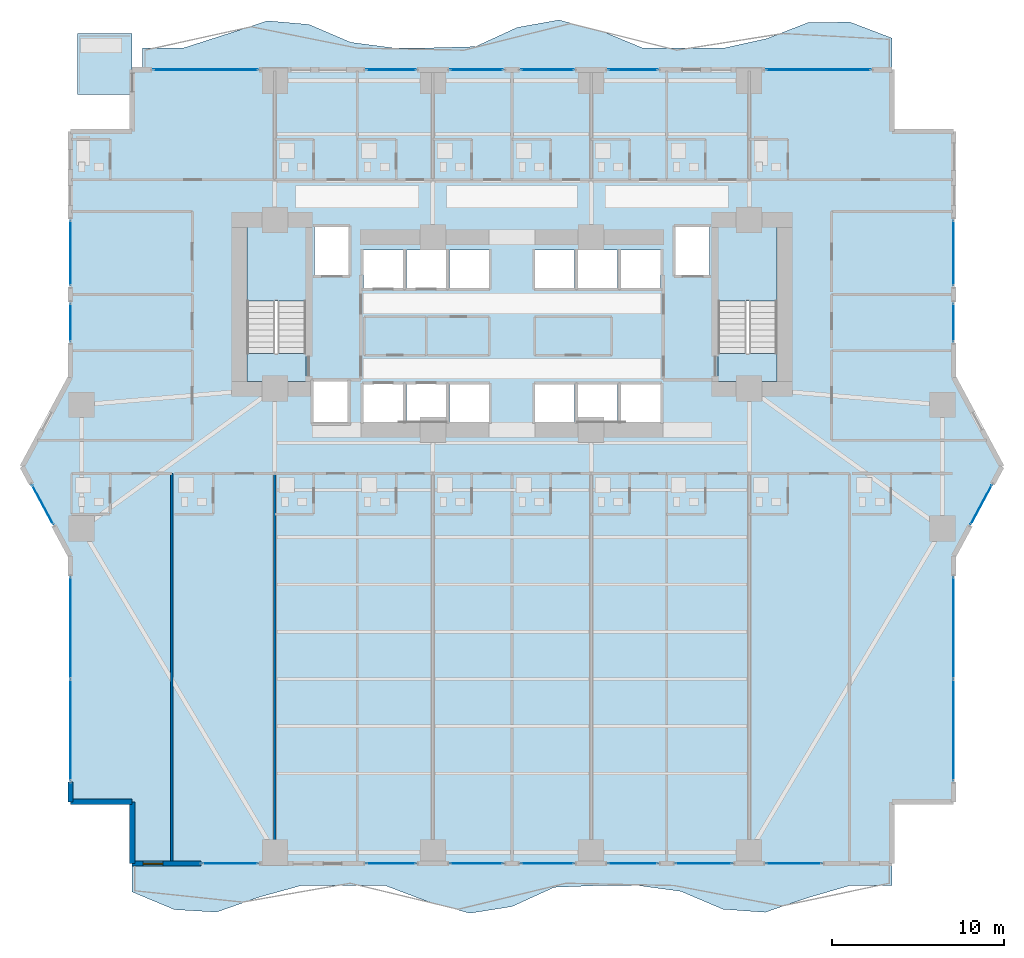
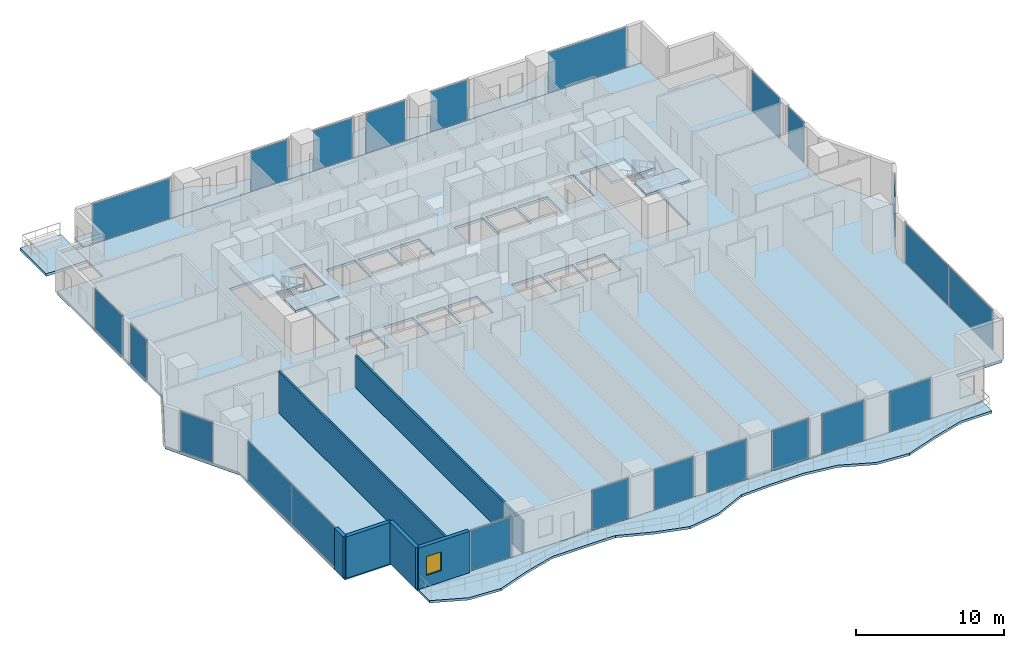
# One storey, part 18 of 29: 23 plates, 8 slabs, 6 walls, 1 window, 1 opening, 23 elements without a shape of their own.
"""IFC4 building model written with IfcOpenShell, lengths in metres."""

from ifc_helpers import new_model, si_unit, direction, frame, frame_2d, origin, origin_2d, place, context, subcontext, project, spatial, polyline, rectangle, outline, extrude, material, layer, layer_set, type_object, element, fill, aggregate, save


model = new_model("IFC4")

# Units and contexts
model_context = context("Model", 3, precision=1e-05, world=origin(), true_north=direction((0.0, 1.0)))
body_context = subcontext(model_context, "Body", "Model", "MODEL_VIEW")
ifc_project = project(units=[si_unit("LENGTHUNIT", "METRE"), si_unit("AREAUNIT", "SQUARE_METRE"), si_unit("VOLUMEUNIT", "CUBIC_METRE"), si_unit("PLANEANGLEUNIT", "RADIAN"), si_unit("MASSUNIT", "GRAM", prefix="KILO")], contexts=[model_context])

# Site, building, storey
site_placement = place(None, origin())
site = spatial("IfcSite", under=ifc_project, at=site_placement, CompositionType="ELEMENT")
building_placement = place(site_placement, origin())
building = spatial("IfcBuilding", under=site, at=building_placement, Name="Zuhayl Quay Hotel", CompositionType="ELEMENT")
storey_placement = place(building_placement, frame((0.0, 0.0, 64.10009765625)))
storey = spatial("IfcBuildingStorey", under=building, at=storey_placement, Name="L15", CompositionType="ELEMENT", Elevation=64.10009765625)

# Curtain wall, plates
ifc_material_1 = material(Name="Anodised Aluminium 6063-T6", Category="aluminium")
ifc_layer_1 = layer(ifc_material_1, 0.18994140625, Name="Anodised Aluminium 6063-T6", Category="aluminium")
ifc_layer_set_1 = layer_set([ifc_layer_1], Name="Anodised Aluminium 6063-T6")
curtain_wall_type = type_object("IfcCurtainWallType", Name="CW_SYS_Z1", PredefinedType="USERDEFINED", material=ifc_layer_set_1)
curtain_wall_1_placement = place(storey_placement, origin())
curtain_wall_1 = element("IfcCurtainWall", 1, at=curtain_wall_1_placement, inside=storey, type_object=curtain_wall_type, Name="L15 Curtain Wall ENV_L15_E02_CW1", ObjectType="UNITISED CURTAIN WALL", PredefinedType="USERDEFINED")
ifc_material_2 = material(Name="Dark Ceramic-Fritted Solar Glass", Category="glass")
ifc_layer_2 = layer(ifc_material_2, 0.035888671875, Name="Dark Ceramic-Fritted Solar Glass", Category="glass")
ifc_layer_set_2 = layer_set([ifc_layer_2], Name="Dark Ceramic-Fritted Solar Glass")
plate_type = type_object("IfcPlateType", Name="PN_DARK_FRIT_Z1", PredefinedType="CURTAIN_PANEL", material=ifc_layer_set_2)
plate_1_placement = place(storey_placement, frame((-25.699951171875, -15.331298828125, 0.059814453125), z_axis=(0.0, 0.0, 1.0), x_axis=(0.0, 1.0, 0.0)))
plate_1 = element("IfcPlate", 2, at=plate_1_placement, type_object=plate_type, Name="CW-Z1 panel 1.1", PredefinedType="CURTAIN_PANEL", context=body_context, shape_type="SweptSolid", body=[
    extrude(rectangle(XDim=5.887451171875, YDim=0.035888671875, at=origin_2d()), origin(), (0.0, 0.0, 1.0), 3.31005859375),
])
plate_2_placement = place(storey_placement, frame((-25.699951171875, -9.36865234375, 0.059814453125), z_axis=(0.0, 0.0, 1.0), x_axis=(0.0, 1.0, 0.0)))
plate_2 = element("IfcPlate", 3, at=plate_2_placement, type_object=plate_type, Name="CW-Z1 panel 2.1", PredefinedType="CURTAIN_PANEL", context=body_context, shape_type="SweptSolid", body=[
    extrude(rectangle(XDim=5.887451171875, YDim=0.035888671875, at=origin_2d()), origin(), (0.0, 0.0, 1.0), 3.31005859375),
])
aggregate(curtain_wall_1, [plate_1, plate_2])

# Curtain wall, plate
curtain_wall_2_placement = place(storey_placement, origin())
curtain_wall_2 = element("IfcCurtainWall", 4, at=curtain_wall_2_placement, inside=storey, type_object=curtain_wall_type, Name="L15 Curtain Wall ENV_L15_E03_CW1", ObjectType="UNITISED CURTAIN WALL", PredefinedType="USERDEFINED")
plate_3_placement = place(storey_placement, frame((-27.306396484375, -2.216796875, 0.059814453125), z_axis=(0.0, 0.0, 1.0), x_axis=(-0.474091102632, 0.880475795468, 0.0)))
plate_3 = element("IfcPlate", 5, at=plate_3_placement, type_object=plate_type, Name="CW-Z1 panel 1.1", PredefinedType="CURTAIN_PANEL", context=body_context, shape_type="SweptSolid", body=[
    extrude(rectangle(XDim=2.58544921875, YDim=0.035888671875, at=origin_2d()), origin(), (0.0, 0.0, 1.0), 3.31005859375),
])
aggregate(curtain_wall_2, [plate_3])

curtain_wall_3_placement = place(storey_placement, origin())
curtain_wall_3 = element("IfcCurtainWall", 6, at=curtain_wall_3_placement, inside=storey, type_object=curtain_wall_type, Name="L15 Curtain Wall ENV_L15_E05_CW1", ObjectType="UNITISED CURTAIN WALL", PredefinedType="USERDEFINED")
plate_4_placement = place(storey_placement, frame((-25.699951171875, 8.385009765625, 0.059814453125), z_axis=(0.0, 0.0, 1.0), x_axis=(0.0, 1.0, 0.0)))
plate_4 = element("IfcPlate", 7, at=plate_4_placement, type_object=plate_type, Name="CW-Z1 panel 1.1", PredefinedType="CURTAIN_PANEL", context=body_context, shape_type="SweptSolid", body=[
    extrude(rectangle(XDim=2.219970703125, YDim=0.035888671875, at=origin_2d()), origin(), (0.0, 0.0, 1.0), 3.31005859375),
])
aggregate(curtain_wall_3, [plate_4])

curtain_wall_4_placement = place(storey_placement, origin())
curtain_wall_4 = element("IfcCurtainWall", 8, at=curtain_wall_4_placement, inside=storey, type_object=curtain_wall_type, Name="L15 Curtain Wall ENV_L15_E05_CW2", ObjectType="UNITISED CURTAIN WALL", PredefinedType="USERDEFINED")
plate_5_placement = place(storey_placement, frame((-25.699951171875, 12.43505859375, 0.059814453125), z_axis=(0.0, 0.0, 1.0), x_axis=(0.0, 1.0, 0.0)))
plate_5 = element("IfcPlate", 9, at=plate_5_placement, type_object=plate_type, Name="CW-Z1 panel 1.1", PredefinedType="CURTAIN_PANEL", context=body_context, shape_type="SweptSolid", body=[
    extrude(rectangle(XDim=3.780029296875, YDim=0.035888671875, at=origin_2d()), origin(), (0.0, 0.0, 1.0), 3.31005859375),
])
aggregate(curtain_wall_4, [plate_5])

curtain_wall_5_placement = place(storey_placement, origin())
curtain_wall_5 = element("IfcCurtainWall", 10, at=curtain_wall_5_placement, inside=storey, type_object=curtain_wall_type, Name="L15 Curtain Wall ENV_L15_N_CW1", ObjectType="UNITISED CURTAIN WALL", PredefinedType="USERDEFINED")
plate_6_placement = place(storey_placement, frame((-17.8349609375, 23.10009765625, 0.059814453125), z_axis=(0.0, 0.0, 1.0), x_axis=(1.0, 0.0, 0.0)))
plate_6 = element("IfcPlate", 11, at=plate_6_placement, type_object=plate_type, Name="CW-Z1 panel 1.1", PredefinedType="CURTAIN_PANEL", context=body_context, shape_type="SweptSolid", body=[
    extrude(rectangle(XDim=6.080078125, YDim=0.035888671875, at=origin_2d()), origin(), (0.0, 0.0, 1.0), 3.31005859375),
])
aggregate(curtain_wall_5, [plate_6])

curtain_wall_6_placement = place(storey_placement, origin())
curtain_wall_6 = element("IfcCurtainWall", 12, at=curtain_wall_6_placement, inside=storey, type_object=curtain_wall_type, Name="L15 Curtain Wall ENV_L15_N_CW2", ObjectType="UNITISED CURTAIN WALL", PredefinedType="USERDEFINED")
plate_7_placement = place(storey_placement, frame((-7.034912109375, 23.10009765625, 0.059814453125), z_axis=(0.0, 0.0, 1.0), x_axis=(1.0, 0.0, 0.0)))
plate_7 = element("IfcPlate", 13, at=plate_7_placement, type_object=plate_type, Name="CW-Z1 panel 1.1", PredefinedType="CURTAIN_PANEL", context=body_context, shape_type="SweptSolid", body=[
    extrude(rectangle(XDim=2.8798828125, YDim=0.035888671875, at=origin_2d()), origin(), (0.0, 0.0, 1.0), 3.31005859375),
])
aggregate(curtain_wall_6, [plate_7])

curtain_wall_7_placement = place(storey_placement, origin())
curtain_wall_7 = element("IfcCurtainWall", 14, at=curtain_wall_7_placement, inside=storey, type_object=curtain_wall_type, Name="L15 Curtain Wall ENV_L15_N_CW3", ObjectType="UNITISED CURTAIN WALL", PredefinedType="USERDEFINED")
plate_8_placement = place(storey_placement, frame((-2.06494140625, 23.10009765625, 0.059814453125), z_axis=(0.0, 0.0, 1.0), x_axis=(1.0, 0.0, 0.0)))
plate_8 = element("IfcPlate", 15, at=plate_8_placement, type_object=plate_type, Name="CW-Z1 panel 1.1", PredefinedType="CURTAIN_PANEL", context=body_context, shape_type="SweptSolid", body=[
    extrude(rectangle(XDim=3.080078125, YDim=0.035888671875, at=origin_2d()), origin(), (0.0, 0.0, 1.0), 3.31005859375),
])
aggregate(curtain_wall_7, [plate_8])

curtain_wall_8_placement = place(storey_placement, origin())
curtain_wall_8 = element("IfcCurtainWall", 16, at=curtain_wall_8_placement, inside=storey, type_object=curtain_wall_type, Name="L15 Curtain Wall ENV_L15_N_CW4", ObjectType="UNITISED CURTAIN WALL", PredefinedType="USERDEFINED")
plate_9_placement = place(storey_placement, frame((2.06494140625, 23.10009765625, 0.059814453125), z_axis=(0.0, 0.0, 1.0), x_axis=(1.0, 0.0, 0.0)))
plate_9 = element("IfcPlate", 17, at=plate_9_placement, type_object=plate_type, Name="CW-Z1 panel 1.1", PredefinedType="CURTAIN_PANEL", context=body_context, shape_type="SweptSolid", body=[
    extrude(rectangle(XDim=3.080078125, YDim=0.035888671875, at=origin_2d()), origin(), (0.0, 0.0, 1.0), 3.31005859375),
])
aggregate(curtain_wall_8, [plate_9])

curtain_wall_9_placement = place(storey_placement, origin())
curtain_wall_9 = element("IfcCurtainWall", 18, at=curtain_wall_9_placement, inside=storey, type_object=curtain_wall_type, Name="L15 Curtain Wall ENV_L15_N_CW5", ObjectType="UNITISED CURTAIN WALL", PredefinedType="USERDEFINED")
plate_10_placement = place(storey_placement, frame((7.034912109375, 23.10009765625, 0.059814453125), z_axis=(0.0, 0.0, 1.0), x_axis=(1.0, 0.0, 0.0)))
plate_10 = element("IfcPlate", 19, at=plate_10_placement, type_object=plate_type, Name="CW-Z1 panel 1.1", PredefinedType="CURTAIN_PANEL", context=body_context, shape_type="SweptSolid", body=[
    extrude(rectangle(XDim=2.8798828125, YDim=0.035888671875, at=origin_2d()), origin(), (0.0, 0.0, 1.0), 3.31005859375),
])
aggregate(curtain_wall_9, [plate_10])

curtain_wall_10_placement = place(storey_placement, origin())
curtain_wall_10 = element("IfcCurtainWall", 20, at=curtain_wall_10_placement, inside=storey, type_object=curtain_wall_type, Name="L15 Curtain Wall ENV_L15_N_CW6", ObjectType="UNITISED CURTAIN WALL", PredefinedType="USERDEFINED")
plate_11_placement = place(storey_placement, frame((17.8349609375, 23.10009765625, 0.059814453125), z_axis=(0.0, 0.0, 1.0), x_axis=(1.0, 0.0, 0.0)))
plate_11 = element("IfcPlate", 21, at=plate_11_placement, type_object=plate_type, Name="CW-Z1 panel 1.1", PredefinedType="CURTAIN_PANEL", context=body_context, shape_type="SweptSolid", body=[
    extrude(rectangle(XDim=6.080078125, YDim=0.035888671875, at=origin_2d()), origin(), (0.0, 0.0, 1.0), 3.31005859375),
])
aggregate(curtain_wall_10, [plate_11])

curtain_wall_11_placement = place(storey_placement, origin())
curtain_wall_11 = element("IfcCurtainWall", 22, at=curtain_wall_11_placement, inside=storey, type_object=curtain_wall_type, Name="L15 Curtain Wall ENV_L15_E11_CW1", ObjectType="UNITISED CURTAIN WALL", PredefinedType="USERDEFINED")
plate_12_placement = place(storey_placement, frame((25.699951171875, 12.43505859375, 0.059814453125), z_axis=(0.0, 0.0, 1.0), x_axis=(0.0, -1.0, 0.0)))
plate_12 = element("IfcPlate", 23, at=plate_12_placement, type_object=plate_type, Name="CW-Z1 panel 1.1", PredefinedType="CURTAIN_PANEL", context=body_context, shape_type="SweptSolid", body=[
    extrude(rectangle(XDim=3.780029296875, YDim=0.035888671875, at=origin_2d()), origin(), (0.0, 0.0, 1.0), 3.31005859375),
])
aggregate(curtain_wall_11, [plate_12])

curtain_wall_12_placement = place(storey_placement, origin())
curtain_wall_12 = element("IfcCurtainWall", 24, at=curtain_wall_12_placement, inside=storey, type_object=curtain_wall_type, Name="L15 Curtain Wall ENV_L15_E11_CW2", ObjectType="UNITISED CURTAIN WALL", PredefinedType="USERDEFINED")
plate_13_placement = place(storey_placement, frame((25.699951171875, 8.385009765625, 0.059814453125), z_axis=(0.0, 0.0, 1.0), x_axis=(0.0, -1.0, 0.0)))
plate_13 = element("IfcPlate", 25, at=plate_13_placement, type_object=plate_type, Name="CW-Z1 panel 1.1", PredefinedType="CURTAIN_PANEL", context=body_context, shape_type="SweptSolid", body=[
    extrude(rectangle(XDim=2.219970703125, YDim=0.035888671875, at=origin_2d()), origin(), (0.0, 0.0, 1.0), 3.31005859375),
])
aggregate(curtain_wall_12, [plate_13])

curtain_wall_13_placement = place(storey_placement, origin())
curtain_wall_13 = element("IfcCurtainWall", 26, at=curtain_wall_13_placement, inside=storey, type_object=curtain_wall_type, Name="L15 Curtain Wall ENV_L15_E13_CW1", ObjectType="UNITISED CURTAIN WALL", PredefinedType="USERDEFINED")
plate_14_placement = place(storey_placement, frame((27.306396484375, -2.216796875, 0.059814453125), z_axis=(0.0, 0.0, 1.0), x_axis=(-0.474091102632, -0.880475795468, 0.0)))
plate_14 = element("IfcPlate", 27, at=plate_14_placement, type_object=plate_type, Name="CW-Z1 panel 1.1", PredefinedType="CURTAIN_PANEL", context=body_context, shape_type="SweptSolid", body=[
    extrude(rectangle(XDim=2.58544921875, YDim=0.035888671875, at=origin_2d()), origin(), (0.0, 0.0, 1.0), 3.31005859375),
])
aggregate(curtain_wall_13, [plate_14])

# Curtain wall, plates
curtain_wall_14_placement = place(storey_placement, origin())
curtain_wall_14 = element("IfcCurtainWall", 28, at=curtain_wall_14_placement, inside=storey, type_object=curtain_wall_type, Name="L15 Curtain Wall ENV_L15_E14_CW1", ObjectType="UNITISED CURTAIN WALL", PredefinedType="USERDEFINED")
plate_15_placement = place(storey_placement, frame((25.699951171875, -9.36865234375, 0.059814453125), z_axis=(0.0, 0.0, 1.0), x_axis=(0.0, -1.0, 0.0)))
plate_15 = element("IfcPlate", 29, at=plate_15_placement, type_object=plate_type, Name="CW-Z1 panel 1.1", PredefinedType="CURTAIN_PANEL", context=body_context, shape_type="SweptSolid", body=[
    extrude(rectangle(XDim=5.887451171875, YDim=0.035888671875, at=origin_2d()), origin(), (0.0, 0.0, 1.0), 3.31005859375),
])
plate_16_placement = place(storey_placement, frame((25.699951171875, -15.331298828125, 0.059814453125), z_axis=(0.0, 0.0, 1.0), x_axis=(0.0, -1.0, 0.0)))
plate_16 = element("IfcPlate", 30, at=plate_16_placement, type_object=plate_type, Name="CW-Z1 panel 2.1", PredefinedType="CURTAIN_PANEL", context=body_context, shape_type="SweptSolid", body=[
    extrude(rectangle(XDim=5.887451171875, YDim=0.035888671875, at=origin_2d()), origin(), (0.0, 0.0, 1.0), 3.31005859375),
])
aggregate(curtain_wall_14, [plate_15, plate_16])

# Curtain wall, plate
curtain_wall_15_placement = place(storey_placement, origin())
curtain_wall_15 = element("IfcCurtainWall", 31, at=curtain_wall_15_placement, inside=storey, type_object=curtain_wall_type, Name="L15 Curtain Wall ENV_L15_S_CW1", ObjectType="UNITISED CURTAIN WALL", PredefinedType="USERDEFINED")
plate_17_placement = place(storey_placement, frame((16.409912109375, -23.10009765625, 0.059814453125), z_axis=(0.0, 0.0, 1.0), x_axis=(-1.0, 0.0, 0.0)))
plate_17 = element("IfcPlate", 32, at=plate_17_placement, type_object=plate_type, Name="CW-Z1 panel 1.1", PredefinedType="CURTAIN_PANEL", context=body_context, shape_type="SweptSolid", body=[
    extrude(rectangle(XDim=3.22998046875, YDim=0.035888671875, at=origin_2d()), origin(), (0.0, 0.0, 1.0), 3.31005859375),
])
aggregate(curtain_wall_15, [plate_17])

curtain_wall_16_placement = place(storey_placement, origin())
curtain_wall_16 = element("IfcCurtainWall", 33, at=curtain_wall_16_placement, inside=storey, type_object=curtain_wall_type, Name="L15 Curtain Wall ENV_L15_S_CW2", ObjectType="UNITISED CURTAIN WALL", PredefinedType="USERDEFINED")
plate_18_placement = place(storey_placement, frame((11.1650390625, -23.10009765625, 0.059814453125), z_axis=(0.0, 0.0, 1.0), x_axis=(-1.0, 0.0, 0.0)))
plate_18 = element("IfcPlate", 34, at=plate_18_placement, type_object=plate_type, Name="CW-Z1 panel 1.1", PredefinedType="CURTAIN_PANEL", context=body_context, shape_type="SweptSolid", body=[
    extrude(rectangle(XDim=3.280029296875, YDim=0.035888671875, at=origin_2d()), origin(), (0.0, 0.0, 1.0), 3.31005859375),
])
aggregate(curtain_wall_16, [plate_18])

curtain_wall_17_placement = place(storey_placement, origin())
curtain_wall_17 = element("IfcCurtainWall", 35, at=curtain_wall_17_placement, inside=storey, type_object=curtain_wall_type, Name="L15 Curtain Wall ENV_L15_S_CW3", ObjectType="UNITISED CURTAIN WALL", PredefinedType="USERDEFINED")
plate_19_placement = place(storey_placement, frame((7.034912109375, -23.10009765625, 0.059814453125), z_axis=(0.0, 0.0, 1.0), x_axis=(-1.0, 0.0, 0.0)))
plate_19 = element("IfcPlate", 36, at=plate_19_placement, type_object=plate_type, Name="CW-Z1 panel 1.1", PredefinedType="CURTAIN_PANEL", context=body_context, shape_type="SweptSolid", body=[
    extrude(rectangle(XDim=2.8798828125, YDim=0.035888671875, at=origin_2d()), origin(), (0.0, 0.0, 1.0), 3.31005859375),
])
aggregate(curtain_wall_17, [plate_19])

curtain_wall_18_placement = place(storey_placement, origin())
curtain_wall_18 = element("IfcCurtainWall", 37, at=curtain_wall_18_placement, inside=storey, type_object=curtain_wall_type, Name="L15 Curtain Wall ENV_L15_S_CW4", ObjectType="UNITISED CURTAIN WALL", PredefinedType="USERDEFINED")
plate_20_placement = place(storey_placement, frame((2.06494140625, -23.10009765625, 0.059814453125), z_axis=(0.0, 0.0, 1.0), x_axis=(-1.0, 0.0, 0.0)))
plate_20 = element("IfcPlate", 38, at=plate_20_placement, type_object=plate_type, Name="CW-Z1 panel 1.1", PredefinedType="CURTAIN_PANEL", context=body_context, shape_type="SweptSolid", body=[
    extrude(rectangle(XDim=3.080078125, YDim=0.035888671875, at=origin_2d()), origin(), (0.0, 0.0, 1.0), 3.31005859375),
])
aggregate(curtain_wall_18, [plate_20])

curtain_wall_19_placement = place(storey_placement, origin())
curtain_wall_19 = element("IfcCurtainWall", 39, at=curtain_wall_19_placement, inside=storey, type_object=curtain_wall_type, Name="L15 Curtain Wall ENV_L15_S_CW5", ObjectType="UNITISED CURTAIN WALL", PredefinedType="USERDEFINED")
plate_21_placement = place(storey_placement, frame((-2.06494140625, -23.10009765625, 0.059814453125), z_axis=(0.0, 0.0, 1.0), x_axis=(-1.0, 0.0, 0.0)))
plate_21 = element("IfcPlate", 40, at=plate_21_placement, type_object=plate_type, Name="CW-Z1 panel 1.1", PredefinedType="CURTAIN_PANEL", context=body_context, shape_type="SweptSolid", body=[
    extrude(rectangle(XDim=3.080078125, YDim=0.035888671875, at=origin_2d()), origin(), (0.0, 0.0, 1.0), 3.31005859375),
])
aggregate(curtain_wall_19, [plate_21])

curtain_wall_20_placement = place(storey_placement, origin())
curtain_wall_20 = element("IfcCurtainWall", 41, at=curtain_wall_20_placement, inside=storey, type_object=curtain_wall_type, Name="L15 Curtain Wall ENV_L15_S_CW6", ObjectType="UNITISED CURTAIN WALL", PredefinedType="USERDEFINED")
plate_22_placement = place(storey_placement, frame((-7.034912109375, -23.10009765625, 0.059814453125), z_axis=(0.0, 0.0, 1.0), x_axis=(-1.0, 0.0, 0.0)))
plate_22 = element("IfcPlate", 42, at=plate_22_placement, type_object=plate_type, Name="CW-Z1 panel 1.1", PredefinedType="CURTAIN_PANEL", context=body_context, shape_type="SweptSolid", body=[
    extrude(rectangle(XDim=2.8798828125, YDim=0.035888671875, at=origin_2d()), origin(), (0.0, 0.0, 1.0), 3.31005859375),
])
aggregate(curtain_wall_20, [plate_22])

curtain_wall_21_placement = place(storey_placement, origin())
curtain_wall_21 = element("IfcCurtainWall", 43, at=curtain_wall_21_placement, inside=storey, type_object=curtain_wall_type, Name="L15 Curtain Wall ENV_L15_S_CW7", ObjectType="UNITISED CURTAIN WALL", PredefinedType="USERDEFINED")
plate_23_placement = place(storey_placement, frame((-16.409912109375, -23.10009765625, 0.059814453125), z_axis=(0.0, 0.0, 1.0), x_axis=(-1.0, 0.0, 0.0)))
plate_23 = element("IfcPlate", 44, at=plate_23_placement, type_object=plate_type, Name="CW-Z1 panel 1.1", PredefinedType="CURTAIN_PANEL", context=body_context, shape_type="SweptSolid", body=[
    extrude(rectangle(XDim=3.22998046875, YDim=0.035888671875, at=origin_2d()), origin(), (0.0, 0.0, 1.0), 3.31005859375),
])
aggregate(curtain_wall_21, [plate_23])

# Slabs
ifc_material_3 = material(Name="Concrete C45/55", Category="concrete")
ifc_layer_3 = layer(ifc_material_3, 0.195068359375, Name="Concrete C45/55", Category="concrete")
ifc_layer_set_3 = layer_set([ifc_layer_3], Name="Concrete C45/55")
slab_type_1 = type_object("IfcSlabType", Name="SL_BALCONY_195", PredefinedType="FLOOR", material=ifc_layer_set_3)
slab_1_placement = place(storey_placement, frame((0.0, 0.0, -0.195068359375)))
element("IfcSlab", 45, at=slab_1_placement, inside=storey, type_object=slab_type_1, Name="L15 Exterior Rippling Balcony Slab North", PredefinedType="FLOOR", context=body_context, shape_type="SweptSolid", body=[
    extrude(outline(polyline([(-21.5, 23.10009765625), (22.10009765625, 23.10009765625), (22.10009765625, 24.945556640625), (19.677734375, 25.86865234375), (17.255615234375, 25.853759765625), (14.833251953125, 24.9130859375), (12.4111328125, 24.3798828125), (9.989013671875, 24.3798828125), (7.566650390625, 24.3798828125), (5.144287109375, 25.384521484375), (2.72216796875, 25.9951171875), (0.300048828125, 25.561767578125), (-2.122314453125, 24.447509765625), (-4.54443359375, 24.3798828125), (-6.966796875, 24.3798828125), (-9.388916015625, 24.695556640625), (-11.81103515625, 25.735107421875), (-14.2333984375, 25.948486328125), (-16.655517578125, 25.156982421875), (-19.077880859375, 24.3798828125), (-21.5, 24.3798828125), (-21.5, 23.10009765625)])), origin(), (0.0, 0.0, 1.0), 0.195068359375),
])
slab_2_placement = place(storey_placement, frame((0.0, 0.0, -0.195068359375)))
element("IfcSlab", 46, at=slab_2_placement, inside=storey, type_object=slab_type_1, Name="L15 Exterior Rippling Balcony Slab South", PredefinedType="FLOOR", context=body_context, shape_type="SweptSolid", body=[
    extrude(outline(polyline([(-22.10009765625, -24.75), (-19.644287109375, -25.777099609375), (-17.18896484375, -25.9208984375), (-14.7333984375, -25.0576171875), (-12.27783203125, -24.3798828125), (-9.822265625, -24.3798828125), (-7.36669921875, -24.3798828125), (-4.9111328125, -25.3125), (-2.45556640625, -25.98779296875), (0.0, -25.598388671875), (2.45556640625, -24.4794921875), (4.9111328125, -24.3798828125), (7.36669921875, -24.3798828125), (9.822265625, -24.7119140625), (12.27783203125, -25.7548828125), (14.7333984375, -25.93359375), (17.18896484375, -25.094482421875), (19.644287109375, -24.3798828125), (22.10009765625, -24.3798828125), (22.10009765625, -23.10009765625), (-22.10009765625, -23.10009765625), (-22.10009765625, -24.75)])), origin(), (0.0, 0.0, 1.0), 0.195068359375),
])
ifc_layer_4 = layer(ifc_material_3, 0.219970703125, Name="Concrete C45/55", Category="concrete")
ifc_layer_set_4 = layer_set([ifc_layer_4], Name="Concrete C45/55")
slab_type_2 = type_object("IfcSlabType", Name="SL_FLOOR_220", PredefinedType="FLOOR", material=ifc_layer_set_4)
slab_3_placement = place(storey_placement, frame((0.0, 0.0, -0.22021484375)))
element("IfcSlab", 47, at=slab_3_placement, inside=storey, type_object=slab_type_2, Name="L15 Structural Floor Slab", PredefinedType="FLOOR", context=body_context, shape_type="SweptSolid", body=[
    extrude(outline(polyline([(-22.10009765625, -23.10009765625), (22.10009765625, -23.10009765625), (22.10009765625, -19.5), (25.699951171875, -19.5), (25.699951171875, -5.199951171875), (28.5, 0.0), (25.699951171875, 5.199951171875), (25.699951171875, 19.5), (22.10009765625, 19.5), (22.10009765625, 23.10009765625), (-22.10009765625, 23.10009765625), (-22.10009765625, 19.5), (-25.699951171875, 19.5), (-25.699951171875, 5.199951171875), (-28.5, 0.0), (-25.699951171875, -5.199951171875), (-25.699951171875, -19.5), (-22.10009765625, -19.5), (-22.10009765625, -23.10009765625)]), holes=[polyline([(-12.0, 4.949951171875), (-12.0, 13.949951171875), (-15.429931640625, 13.949951171875), (-15.429931640625, 4.949951171875), (-12.0, 4.949951171875)]), polyline([(15.429931640625, 4.949951171875), (15.429931640625, 13.949951171875), (12.0, 13.949951171875), (12.0, 4.949951171875), (15.429931640625, 4.949951171875)]), polyline([(-11.5, 11.14990234375), (-9.5, 11.14990234375), (-9.5, 13.949951171875), (-11.5, 13.949951171875), (-11.5, 11.14990234375)]), polyline([(9.5, 11.14990234375), (11.5, 11.14990234375), (11.5, 13.949951171875), (9.5, 13.949951171875), (9.5, 11.14990234375)]), polyline([(-8.64990234375, 2.60009765625), (-6.35009765625, 2.60009765625), (-6.35009765625, 4.800048828125), (-8.64990234375, 4.800048828125), (-8.64990234375, 2.60009765625)]), polyline([(-6.14990234375, 2.60009765625), (-3.85009765625, 2.60009765625), (-3.85009765625, 4.800048828125), (-6.14990234375, 4.800048828125), (-6.14990234375, 2.60009765625)]), polyline([(-8.64990234375, 10.39990234375), (-6.35009765625, 10.39990234375), (-6.35009765625, 12.60009765625), (-8.64990234375, 12.60009765625), (-8.64990234375, 10.39990234375)]), polyline([(-6.14990234375, 10.39990234375), (-3.85009765625, 10.39990234375), (-3.85009765625, 12.60009765625), (-6.14990234375, 12.60009765625), (-6.14990234375, 10.39990234375)]), polyline([(-3.64990234375, 2.60009765625), (-1.35009765625, 2.60009765625), (-1.35009765625, 4.800048828125), (-3.64990234375, 4.800048828125), (-3.64990234375, 2.60009765625)]), polyline([(1.35009765625, 2.60009765625), (3.64990234375, 2.60009765625), (3.64990234375, 4.800048828125), (1.35009765625, 4.800048828125), (1.35009765625, 2.60009765625)]), polyline([(-3.64990234375, 10.39990234375), (-1.35009765625, 10.39990234375), (-1.35009765625, 12.60009765625), (-3.64990234375, 12.60009765625), (-3.64990234375, 10.39990234375)]), polyline([(1.35009765625, 10.39990234375), (3.64990234375, 10.39990234375), (3.64990234375, 12.60009765625), (1.35009765625, 12.60009765625), (1.35009765625, 10.39990234375)]), polyline([(3.85009765625, 2.60009765625), (6.14990234375, 2.60009765625), (6.14990234375, 4.800048828125), (3.85009765625, 4.800048828125), (3.85009765625, 2.60009765625)]), polyline([(6.35009765625, 2.60009765625), (8.64990234375, 2.60009765625), (8.64990234375, 4.800048828125), (6.35009765625, 4.800048828125), (6.35009765625, 2.60009765625)]), polyline([(3.85009765625, 10.39990234375), (6.14990234375, 10.39990234375), (6.14990234375, 12.60009765625), (3.85009765625, 12.60009765625), (3.85009765625, 10.39990234375)]), polyline([(6.35009765625, 10.39990234375), (8.64990234375, 10.39990234375), (8.64990234375, 12.60009765625), (6.35009765625, 12.60009765625), (6.35009765625, 10.39990234375)]), polyline([(-11.550048828125, 2.550048828125), (-9.550048828125, 2.550048828125), (-9.550048828125, 4.949951171875), (-11.550048828125, 4.949951171875), (-11.550048828125, 2.550048828125)])]), origin(), (0.0, 0.0, 1.0), 0.22021484375),
])

# Stair, slabs
stair_type = type_object("IfcStairType", Name="ST_DOGLEG_TOWER", PredefinedType="HALF_TURN_STAIR", material=ifc_material_3)
stair_1_placement = place(storey_placement, origin())
stair_1 = element("IfcStair", 48, at=stair_1_placement, inside=storey, type_object=stair_type, Name="L15 Smokeproof Exit Stair ST1", PredefinedType="HALF_TURN_STAIR")
ifc_layer_5 = layer(ifc_material_3, 0.199951171875, Name="Concrete C45/55", Category="concrete")
ifc_layer_set_5 = layer_set([ifc_layer_5], Name="Concrete C45/55")
slab_type_3 = type_object("IfcSlabType", Name="SL_STAIR_LANDING_200", PredefinedType="LANDING", material=ifc_layer_set_5)
slab_4_placement = place(storey_placement, frame((0.0, 0.0, 1.625)))
slab_4 = element("IfcSlab", 49, at=slab_4_placement, type_object=slab_type_3, Name="ST1 landing 1", PredefinedType="LANDING", context=body_context, shape_type="SweptSolid", body=[
    extrude(outline(polyline([(-12.0, 9.64990234375), (-12.0, 13.949951171875), (-15.429931640625, 13.949951171875), (-15.429931640625, 9.64990234375), (-12.0, 9.64990234375)])), origin(), (0.0, 0.0, 1.0), 0.199951171875),
])
slab_5_placement = place(storey_placement, frame((0.0, 0.0, 3.449951171875)))
slab_5 = element("IfcSlab", 50, at=slab_5_placement, type_object=slab_type_3, Name="ST1 landing 2", PredefinedType="LANDING", context=body_context, shape_type="SweptSolid", body=[
    extrude(outline(polyline([(-12.0, 4.949951171875), (-12.0, 6.590087890625), (-15.429931640625, 6.590087890625), (-15.429931640625, 4.949951171875), (-12.0, 4.949951171875)])), origin(), (0.0, 0.0, 1.0), 0.199951171875),
])
aggregate(stair_1, [slab_4, slab_5])

stair_2_placement = place(storey_placement, origin())
stair_2 = element("IfcStair", 51, at=stair_2_placement, inside=storey, type_object=stair_type, Name="L15 Smokeproof Exit Stair ST2", PredefinedType="HALF_TURN_STAIR")
slab_6_placement = place(storey_placement, frame((0.0, 0.0, 1.625)))
slab_6 = element("IfcSlab", 52, at=slab_6_placement, type_object=slab_type_3, Name="ST2 landing 1", PredefinedType="LANDING", context=body_context, shape_type="SweptSolid", body=[
    extrude(outline(polyline([(15.429931640625, 9.64990234375), (15.429931640625, 13.949951171875), (12.0, 13.949951171875), (12.0, 9.64990234375), (15.429931640625, 9.64990234375)])), origin(), (0.0, 0.0, 1.0), 0.199951171875),
])
slab_7_placement = place(storey_placement, frame((0.0, 0.0, 3.449951171875)))
slab_7 = element("IfcSlab", 53, at=slab_7_placement, type_object=slab_type_3, Name="ST2 landing 2", PredefinedType="LANDING", context=body_context, shape_type="SweptSolid", body=[
    extrude(outline(polyline([(15.429931640625, 4.949951171875), (15.429931640625, 6.590087890625), (12.0, 6.590087890625), (12.0, 4.949951171875), (15.429931640625, 4.949951171875)])), origin(), (0.0, 0.0, 1.0), 0.199951171875),
])
aggregate(stair_2, [slab_6, slab_7])

# Slab
ifc_layer_6 = layer(ifc_material_3, 0.219970703125, Name="Concrete C45/55", Category="concrete")
ifc_layer_set_6 = layer_set([ifc_layer_6], Name="Concrete C45/55")
slab_type_4 = type_object("IfcSlabType", Name="SL_TERRACE_235", PredefinedType="FLOOR", material=ifc_layer_set_6)
slab_8_placement = place(storey_placement, frame((0.0, 0.0, -0.22021484375)))
element("IfcSlab", 54, at=slab_8_placement, inside=storey, type_object=slab_type_4, Name="L15 Exterior Sky-Terrace Slab L15_SPIRAL_NW", PredefinedType="FLOOR", context=body_context, shape_type="SweptSolid", body=[
    extrude(outline(polyline([(-25.300048828125, 21.64990234375), (-22.10009765625, 21.64990234375), (-22.10009765625, 25.199951171875), (-25.300048828125, 25.199951171875), (-25.300048828125, 21.64990234375)])), origin(), (0.0, 0.0, 1.0), 0.22021484375),
])

# Walls
ifc_material_4 = material(Name="Precast concrete C45/55", Category="concrete")
ifc_layer_7 = layer(ifc_material_4, 0.300048828125, Name="Precast concrete C45/55", Category="concrete")
ifc_layer_set_7 = layer_set([ifc_layer_7], Name="Precast concrete C45/55")
wall_type_1 = type_object("IfcWallType", Name="WL_EXT_300", PredefinedType="STANDARD", material=ifc_layer_set_7)
wall_1_placement = place(storey_placement, frame((-22.10009765625, -19.5, 0.0), z_axis=(0.0, 0.0, 1.0), x_axis=(-1.0, 0.0, 0.0)))
element("IfcWall", 55, at=wall_1_placement, inside=storey, type_object=wall_type_1, Name="L15 Exterior Precast Wall ENV_L15_EW01", PredefinedType="STANDARD", context=body_context, shape_type="SweptSolid", body=[
    extrude(rectangle(XDim=3.599853515625, YDim=0.300048828125, at=frame_2d((1.7998046875, 0.0))), origin(), (0.0, 0.0, 1.0), 3.429931640625),
])
wall_2_placement = place(storey_placement, frame((-25.699951171875, -19.5, 0.0), z_axis=(0.0, 0.0, 1.0), x_axis=(0.0, 1.0, 0.0)))
element("IfcWall", 56, at=wall_2_placement, inside=storey, type_object=wall_type_1, Name="L15 Exterior Precast Wall ENV_L15_E02_EW1", PredefinedType="STANDARD", context=body_context, shape_type="SweptSolid", body=[
    extrude(rectangle(XDim=1.14990234375, YDim=0.300048828125, at=frame_2d((0.574951171875, 0.0))), origin(), (0.0, 0.0, 1.0), 3.429931640625),
])

# Wall, opening, window
wall_3_placement = place(storey_placement, frame((-18.10009765625, -23.10009765625, 0.0), z_axis=(0.0, 0.0, 1.0), x_axis=(-1.0, 0.0, 0.0)))
wall_3 = element("IfcWall", 57, at=wall_3_placement, inside=storey, type_object=wall_type_1, Name="L15 Exterior Precast Wall ENV_L15_S_EW8", PredefinedType="STANDARD", context=body_context, shape_type="SweptSolid", body=[
    extrude(rectangle(XDim=4.0, YDim=0.300048828125, at=frame_2d((2.0, 0.0))), origin(), (0.0, 0.0, 1.0), 3.429931640625),
])
opening_placement = place(wall_3_placement, frame((2.215087890625, 0.0, 0.949951171875)))
opening = element("IfcOpeningElement", 58, at=opening_placement, cuts=wall_3, Name="Opening W01N", PredefinedType="OPENING", context=body_context, shape_type="SweptSolid", body=[
    extrude(rectangle(XDim=1.14990234375, YDim=1.550048828125, at=frame_2d((0.574951171875, 0.77490234375))), frame((0.0, 0.159912109375, 0.0), z_axis=(0.0, -1.0, 0.0), x_axis=(1.0, 0.0, 0.0)), (0.0, 0.0, 1.0), 0.320068359375),
])
window_type = type_object("IfcWindowType", Name="WN_NOTCH_1350", PartitioningType="SINGLE_PANEL", PredefinedType="WINDOW", material=ifc_material_2)
window_placement = place(opening_placement, origin())
window = element("IfcWindow", 59, at=window_placement, inside=storey, type_object=window_type, Name="L15 Operable Facade Window 8-1", OverallHeight=1.550048828125, OverallWidth=1.14990234375, PartitioningType="SINGLE_PANEL", PredefinedType="WINDOW", context=body_context, shape_type="SweptSolid", body=[
    extrude(rectangle(XDim=1.14990234375, YDim=1.550048828125, at=frame_2d((0.574951171875, 0.77490234375))), frame((0.0, 0.030029296875, 0.0), z_axis=(0.0, -1.0, 0.0), x_axis=(1.0, 0.0, 0.0)), (0.0, 0.0, 1.0), 0.06005859375),
])
fill(opening, window)

# Walls
wall_4_placement = place(storey_placement, frame((-22.10009765625, -23.10009765625, 0.0), z_axis=(0.0, 0.0, 1.0), x_axis=(0.0, 1.0, 0.0)))
element("IfcWall", 60, at=wall_4_placement, inside=storey, type_object=wall_type_1, Name="L15 Exterior Precast Wall ENV_L15_EW18", PredefinedType="STANDARD", context=body_context, shape_type="SweptSolid", body=[
    extrude(rectangle(XDim=3.60009765625, YDim=0.300048828125, at=frame_2d((1.800048828125, 0.0))), origin(), (0.0, 0.0, 1.0), 3.429931640625),
])
ifc_material_5 = material(Name="Acoustic Gypsum Partition STC-58")
ifc_layer_8 = layer(ifc_material_5, 0.14990234375, Name="Acoustic Gypsum Partition STC-58")
ifc_layer_set_8 = layer_set([ifc_layer_8], Name="Acoustic Gypsum Partition STC-58")
wall_type_2 = type_object("IfcWallType", Name="WL_PART_150", PredefinedType="PARTITIONING", material=ifc_layer_set_8)
wall_5_placement = place(storey_placement, frame((-19.800048828125, -23.02001953125, 0.0), z_axis=(0.0, 0.0, 1.0), x_axis=(0.0, 1.0, 0.0)))
element("IfcWall", 61, at=wall_5_placement, inside=storey, type_object=wall_type_2, Name="L15 Partition IW_L15_SU01A_E", PredefinedType="PARTITIONING", context=body_context, shape_type="SweptSolid", body=[
    extrude(rectangle(XDim=22.6201171875, YDim=0.14990234375, at=frame_2d((11.31005859375, 0.0))), origin(), (0.0, 0.0, 1.0), 3.429931640625),
])
wall_6_placement = place(storey_placement, frame((-13.800048828125, -23.02001953125, 0.0), z_axis=(0.0, 0.0, 1.0), x_axis=(0.0, 1.0, 0.0)))
element("IfcWall", 62, at=wall_6_placement, inside=storey, type_object=wall_type_2, Name="L15 Partition IW_L15_SU01B_E", PredefinedType="PARTITIONING", context=body_context, shape_type="SweptSolid", body=[
    extrude(rectangle(XDim=22.6201171875, YDim=0.14990234375, at=frame_2d((11.31005859375, 0.0))), origin(), (0.0, 0.0, 1.0), 2.66796875),
])

save(model, "model.ifc")
